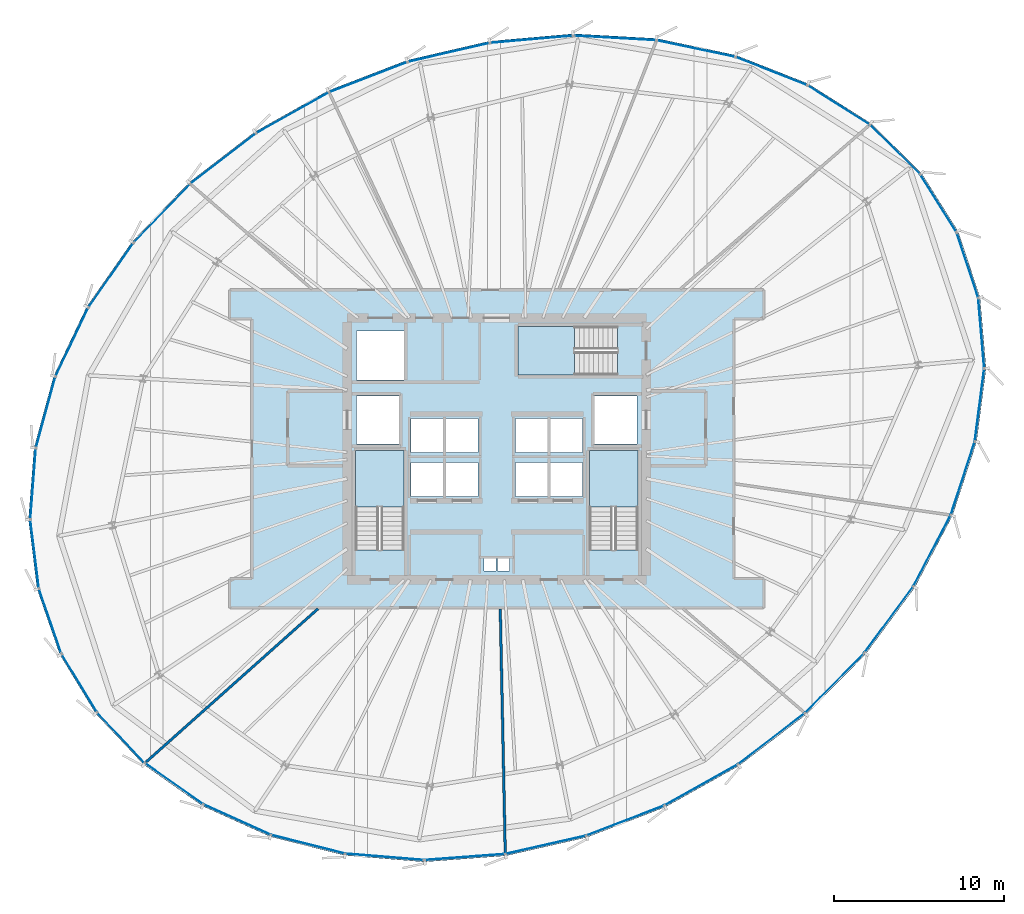
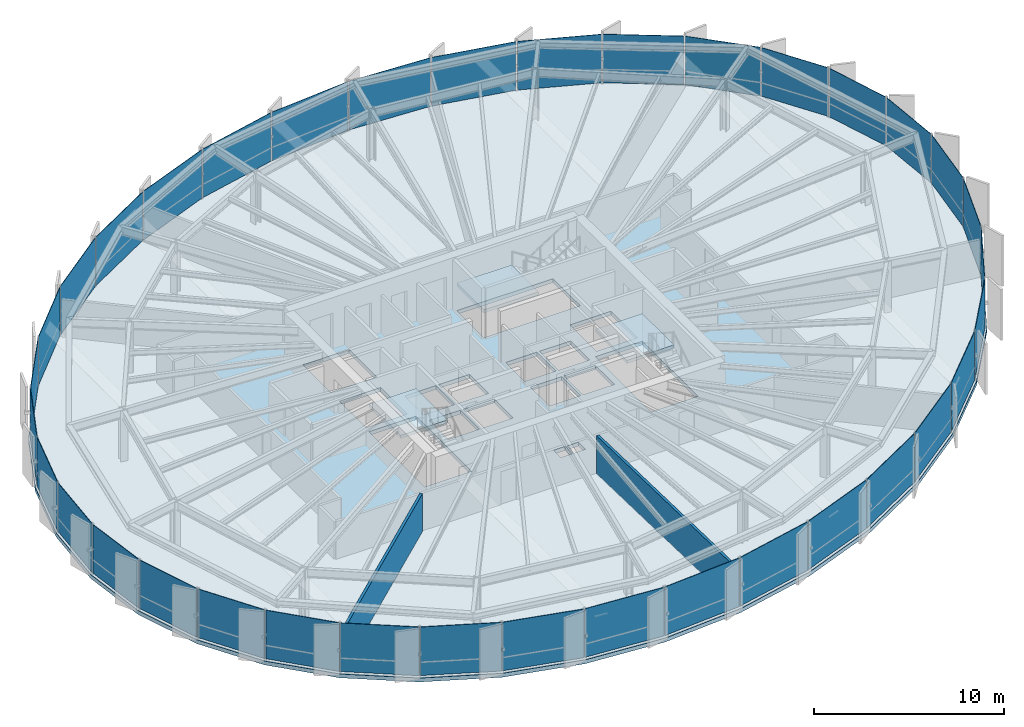
# One storey, part 28 of 35: 36 plates, 4 slabs, 2 walls, 9 elements without a shape of their own.
"""IFC4 building model written with IfcOpenShell, lengths in metres."""

from ifc_helpers import new_model, si_unit, direction, frame, frame_2d, origin, origin_2d, place, context, subcontext, project, spatial, polyline, rectangle, outline, extrude, source, transform, mapped, material, layer, layer_set, type_object, element, aggregate, save


model = new_model("IFC4")

# Units and contexts
model_context = context("Model", 3, precision=1e-05, world=origin(), true_north=direction((0.0, 1.0)))
body_context = subcontext(model_context, "Body", "Model", "MODEL_VIEW")
ifc_project = project(units=[si_unit("LENGTHUNIT", "METRE"), si_unit("AREAUNIT", "SQUARE_METRE"), si_unit("VOLUMEUNIT", "CUBIC_METRE"), si_unit("PLANEANGLEUNIT", "RADIAN"), si_unit("MASSUNIT", "GRAM", prefix="KILO"), si_unit("THERMODYNAMICTEMPERATUREUNIT", "KELVIN")], contexts=[model_context])

# Site, building, storey
site_placement = place(None, origin())
site = spatial("IfcSite", under=ifc_project, at=site_placement, CompositionType="ELEMENT")
building_placement = place(site_placement, origin())
building = spatial("IfcBuilding", under=site, at=building_placement, Name="Kethvar Cultural Tower", CompositionType="ELEMENT")
storey_placement = place(building_placement, frame((0.0, 0.0, 135.89990234375)))
storey = spatial("IfcBuildingStorey", under=building, at=storey_placement, Name="L34", CompositionType="ELEMENT", Elevation=135.89990234375)

# Stair, slab
ifc_material_1 = material(Name="Concrete C40/50", Category="concrete")
stair_type = type_object("IfcStairType", Name="ST-DOGLEG-135", PredefinedType="HALF_TURN_STAIR", material=ifc_material_1)
stair_1_placement = place(storey_placement, origin())
stair_1 = element("IfcStair", 1, at=stair_1_placement, inside=storey, type_object=stair_type, Name="L34 Core Exit Stair 1", PredefinedType="HALF_TURN_STAIR")
ifc_layer_1 = layer(ifc_material_1, 0.199951171875, Name="Concrete C40/50", Category="concrete")
ifc_layer_set_1 = layer_set([ifc_layer_1], Name="Concrete C40/50 (200 mm)")
slab_type_1 = type_object("IfcSlabType", Name="SL-STAIR-LANDING-200", PredefinedType="LANDING", material=ifc_layer_set_1)
slab_1_placement = place(storey_placement, frame((0.0, 0.0, 1.5751953125)))
slab_1 = element("IfcSlab", 2, at=slab_1_placement, type_object=slab_type_1, Name="ST-01 landing 1", PredefinedType="LANDING", context=body_context, shape_type="SweptSolid", body=[
    extrude(outline(polyline([(41.35009765625, 24.3701171875), (41.35009765625, 27.699951171875), (38.489990234375, 27.699951171875), (38.489990234375, 24.3701171875), (41.35009765625, 24.3701171875)])), origin(), (0.0, 0.0, 1.0), 0.199951171875),
])
aggregate(stair_1, [slab_1])

stair_2_placement = place(storey_placement, origin())
stair_2 = element("IfcStair", 3, at=stair_2_placement, inside=storey, type_object=stair_type, Name="L34 Core Exit Stair 2", PredefinedType="HALF_TURN_STAIR")
slab_2_placement = place(storey_placement, frame((0.0, 0.0, 1.5751953125)))
slab_2 = element("IfcSlab", 4, at=slab_2_placement, type_object=slab_type_1, Name="ST-02 landing 1", PredefinedType="LANDING", context=body_context, shape_type="SweptSolid", body=[
    extrude(outline(polyline([(55.110107421875, 24.3701171875), (55.110107421875, 27.699951171875), (52.25, 27.699951171875), (52.25, 24.3701171875), (55.110107421875, 24.3701171875)])), origin(), (0.0, 0.0, 1.0), 0.199951171875),
])
aggregate(stair_2, [slab_2])

stair_3_placement = place(storey_placement, origin())
stair_3 = element("IfcStair", 5, at=stair_3_placement, inside=storey, type_object=stair_type, Name="L34 Core Exit Stair 3", PredefinedType="HALF_TURN_STAIR")
slab_3_placement = place(storey_placement, frame((0.0, 0.0, 1.5751953125)))
slab_3 = element("IfcSlab", 6, at=slab_3_placement, type_object=slab_type_1, Name="ST-03 landing 1", PredefinedType="LANDING", context=body_context, shape_type="SweptSolid", body=[
    extrude(outline(polyline([(51.3798828125, 35.010009765625), (48.050048828125, 35.010009765625), (48.050048828125, 32.14990234375), (51.3798828125, 32.14990234375), (51.3798828125, 35.010009765625)])), origin(), (0.0, 0.0, 1.0), 0.199951171875),
])
aggregate(stair_3, [slab_3])

# Slab
ifc_layer_2 = layer(ifc_material_1, 0.25, Name="Concrete C40/50", Category="concrete")
ifc_layer_set_2 = layer_set([ifc_layer_2], Name="Concrete C40/50 (250 mm)")
slab_type_2 = type_object("IfcSlabType", Name="SL-TOW-250", PredefinedType="FLOOR", material=ifc_layer_set_2)
slab_4_placement = place(storey_placement, frame((0.0, 0.0, -0.25)))
element("IfcSlab", 7, at=slab_4_placement, inside=storey, type_object=slab_type_2, Name="L34 Structural Floor Slab", PredefinedType="FLOOR", context=body_context, shape_type="SweptSolid", body=[
    extrude(outline(polyline([(73.96142578125, 40.581298828125), (71.794189453125, 44.0322265625), (68.809814453125, 46.962890625), (65.11962890625, 49.294189453125), (60.865478515625, 50.96875), (56.20947265625, 51.951416015625), (51.322509765625, 52.225830078125), (46.37255859375, 51.793212890625), (41.514892578125, 50.6689453125), (36.880615234375, 48.87939453125), (32.56640625, 46.4580078125), (28.684326171875, 43.4697265625), (25.352783203125, 40.00537109375), (22.6728515625, 36.170166015625), (20.72607421875, 32.08056640625), (19.571533203125, 27.86083984375), (19.244384765625, 23.639404296875), (19.75439453125, 19.544189453125), (21.086181640625, 15.699951171875), (23.19921875, 12.223388671875), (26.029541015625, 9.22021484375), (29.49072265625, 6.78125), (33.47802734375, 4.981201171875), (37.8701171875, 3.87451171875), (42.533447265625, 3.49462890625), (47.326416015625, 3.853271484375), (52.103515625, 4.939697265625), (56.71923828125, 6.720458984375), (61.052001953125, 9.150390625), (65.014892578125, 12.1767578125), (68.503173828125, 15.715087890625), (71.40673828125, 19.655517578125), (73.617431640625, 23.869384765625), (75.038818359375, 28.214599609375), (75.594970703125, 32.543701171875), (75.239013671875, 36.71142578125), (73.96142578125, 40.581298828125)]), holes=[polyline([(38.489990234375, 21.85009765625), (38.489990234375, 27.699951171875), (41.35009765625, 27.699951171875), (41.35009765625, 21.85009765625), (38.489990234375, 21.85009765625)]), polyline([(52.25, 21.85009765625), (52.25, 27.699951171875), (55.110107421875, 27.699951171875), (55.110107421875, 21.85009765625), (52.25, 21.85009765625)]), polyline([(53.89990234375, 32.14990234375), (48.050048828125, 32.14990234375), (48.050048828125, 35.010009765625), (53.89990234375, 35.010009765625), (53.89990234375, 32.14990234375)]), polyline([(41.75, 27.0), (43.64990234375, 27.0), (43.64990234375, 25.0), (41.75, 25.0), (41.75, 27.0)]), polyline([(43.800048828125, 27.0), (45.699951171875, 27.0), (45.699951171875, 25.0), (43.800048828125, 25.0), (43.800048828125, 27.0)]), polyline([(47.89990234375, 27.0), (49.800048828125, 27.0), (49.800048828125, 25.0), (47.89990234375, 25.0), (47.89990234375, 27.0)]), polyline([(49.949951171875, 27.0), (51.85009765625, 27.0), (51.85009765625, 25.0), (49.949951171875, 25.0), (49.949951171875, 27.0)]), polyline([(41.75, 29.60009765625), (43.64990234375, 29.60009765625), (43.64990234375, 27.60009765625), (41.75, 27.60009765625), (41.75, 29.60009765625)]), polyline([(43.800048828125, 29.60009765625), (45.699951171875, 29.60009765625), (45.699951171875, 27.60009765625), (43.800048828125, 27.60009765625), (43.800048828125, 29.60009765625)]), polyline([(47.89990234375, 29.60009765625), (49.800048828125, 29.60009765625), (49.800048828125, 27.60009765625), (47.89990234375, 27.60009765625), (47.89990234375, 29.60009765625)]), polyline([(49.949951171875, 29.60009765625), (51.85009765625, 29.60009765625), (51.85009765625, 27.60009765625), (49.949951171875, 27.60009765625), (49.949951171875, 29.60009765625)]), polyline([(38.550048828125, 30.89990234375), (41.050048828125, 30.89990234375), (41.050048828125, 28.10009765625), (38.550048828125, 28.10009765625), (38.550048828125, 30.89990234375)]), polyline([(52.550048828125, 30.89990234375), (55.050048828125, 30.89990234375), (55.050048828125, 28.10009765625), (52.550048828125, 28.10009765625), (52.550048828125, 30.89990234375)]), polyline([(38.550048828125, 34.75), (41.35009765625, 34.75), (41.35009765625, 31.85009765625), (38.550048828125, 31.85009765625), (38.550048828125, 34.75)]), polyline([(46.050048828125, 21.35009765625), (46.75, 21.35009765625), (46.75, 20.60009765625), (46.050048828125, 20.60009765625), (46.050048828125, 21.35009765625)]), polyline([(46.85009765625, 21.35009765625), (47.550048828125, 21.35009765625), (47.550048828125, 20.60009765625), (46.85009765625, 20.60009765625), (46.85009765625, 21.35009765625)])]), origin(), (0.0, 0.0, 1.0), 0.25),
])

# Curtain wall, plate
ifc_material_2 = material(Name="Aluminium 6063-T6", Category="aluminium")
ifc_layer_3 = layer(ifc_material_2, 0.179931640625, Name="Aluminium 6063-T6", Category="aluminium")
ifc_layer_set_3 = layer_set([ifc_layer_3], Name="Aluminium 6063-T6 (180 mm)")
curtain_wall_type = type_object("IfcCurtainWallType", Name="CW-SYS-04-Z34", PredefinedType="NOTDEFINED", material=ifc_layer_set_3)
curtain_wall_1_placement = place(storey_placement, origin())
curtain_wall_1 = element("IfcCurtainWall", 8, at=curtain_wall_1_placement, inside=storey, type_object=curtain_wall_type, Name="L34 Curtain Wall Run 02", PredefinedType="NOTDEFINED")
ifc_material_3 = material(Name="Insulated Low-E Solar Glass", Category="glass")
ifc_layer_4 = layer(ifc_material_3, 0.030029296875, Name="Insulated Low-E Solar Glass", Category="glass")
ifc_layer_set_4 = layer_set([ifc_layer_4], Name="Insulated Low-E Solar Glass (30 mm)")
plate_type = type_object("IfcPlateType", Name="CW-SYS-04-Z34-PNL", PredefinedType="CURTAIN_PANEL", material=ifc_layer_set_4)
shared_shape_1 = source(origin(), body_context, "Body", "SweptSolid", [
    extrude(rectangle(XDim=4.881103515625, YDim=0.030029296875, at=origin_2d()), origin(), (0.0, 0.0, 1.0), 3.1201171875),
])
plate_1_placement = place(storey_placement, frame((39.2373046875, 49.671630859375, 0.090087890625), z_axis=(0.0, 0.0, 1.0), x_axis=(-0.932859255911, -0.360241042445, 0.0)))
plate_1 = element("IfcPlate", 9, at=plate_1_placement, type_object=plate_type, Name="CW-L34-R02 Vision Glazing Panel 3", PredefinedType="CURTAIN_PANEL", context=body_context, shape_type="MappedRepresentation", body=[
    mapped(shared_shape_1, transform((0.0, 0.0, 0.0), scale=1.0)),
])

curtain_wall_2_placement = place(storey_placement, origin())
curtain_wall_2 = element("IfcCurtainWall", 10, at=curtain_wall_2_placement, inside=storey, type_object=curtain_wall_type, Name="L34 Curtain Wall Run 05", PredefinedType="NOTDEFINED")
plate_2_placement = place(storey_placement, frame((58.831787109375, 8.031494140625, 0.090087890625), z_axis=(0.0, 0.0, 1.0), x_axis=(0.872197362572, 0.489154127779, 0.0)))
plate_2 = element("IfcPlate", 11, at=plate_2_placement, type_object=plate_type, Name="CW-L34-R05 Vision Glazing Panel 4", PredefinedType="CURTAIN_PANEL", context=body_context, shape_type="MappedRepresentation", body=[
    mapped(shared_shape_1, transform((0.0, 0.0, 0.0), scale=1.0)),
])

curtain_wall_3_placement = place(storey_placement, origin())
curtain_wall_3 = element("IfcCurtainWall", 12, at=curtain_wall_3_placement, inside=storey, type_object=curtain_wall_type, Name="L34 Curtain Wall Run 01", PredefinedType="NOTDEFINED")
shared_shape_2 = source(origin(), body_context, "Body", "SweptSolid", [
    extrude(rectangle(XDim=3.989013671875, YDim=0.030029296875, at=origin_2d()), origin(), (0.0, 0.0, 1.0), 3.1201171875),
])
plate_3_placement = place(storey_placement, frame((72.78466796875, 42.248291015625, 0.090087890625), z_axis=(0.0, 0.0, 1.0), x_axis=(-0.531842058656, 0.846843565628, 0.0)))
plate_3 = element("IfcPlate", 13, at=plate_3_placement, type_object=plate_type, Name="CW-L34-R01 Vision Glazing Panel 1", PredefinedType="CURTAIN_PANEL", context=body_context, shape_type="MappedRepresentation", body=[
    mapped(shared_shape_2, transform((0.0, 0.0, 0.0), scale=1.0)),
])

curtain_wall_4_placement = place(storey_placement, origin())
curtain_wall_4 = element("IfcCurtainWall", 14, at=curtain_wall_4_placement, inside=storey, type_object=curtain_wall_type, Name="L34 Curtain Wall Run 06", PredefinedType="NOTDEFINED")
plate_4_placement = place(storey_placement, frame((74.495849609375, 38.61181640625, 0.090087890625), z_axis=(0.0, 0.0, 1.0), x_axis=(-0.313478721416, 0.949595224935, 0.0)))
plate_4 = element("IfcPlate", 15, at=plate_4_placement, type_object=plate_type, Name="CW-L34-R06 Vision Glazing Panel 6", PredefinedType="CURTAIN_PANEL", context=body_context, shape_type="MappedRepresentation", body=[
    mapped(shared_shape_2, transform((0.0, 0.0, 0.0), scale=1.0)),
])

# Plate
shared_shape_3 = source(origin(), body_context, "Body", "SweptSolid", [
    extrude(rectangle(XDim=4.09619140625, YDim=0.030029296875, at=origin_2d()), origin(), (0.0, 0.0, 1.0), 3.1201171875),
])
plate_5_placement = place(storey_placement, frame((70.224853515625, 45.419189453125, 0.090087890625), z_axis=(0.0, 0.0, 1.0), x_axis=(-0.713495069184, 0.700660250228, 0.0)))
plate_5 = element("IfcPlate", 16, at=plate_5_placement, type_object=plate_type, Name="CW-L34-R01 Vision Glazing Panel 2", PredefinedType="CURTAIN_PANEL", context=body_context, shape_type="MappedRepresentation", body=[
    mapped(shared_shape_3, transform((0.0, 0.0, 0.0), scale=1.0)),
])

shared_shape_4 = source(origin(), body_context, "Body", "SweptSolid", [
    extrude(rectangle(XDim=4.2783203125, YDim=0.030029296875, at=origin_2d()), origin(), (0.0, 0.0, 1.0), 3.1201171875),
])
plate_6_placement = place(storey_placement, frame((66.906005859375, 48.03564453125, 0.090087890625), z_axis=(0.0, 0.0, 1.0), x_axis=(-0.845429663249, 0.534086776188, 0.0)))
plate_6 = element("IfcPlate", 17, at=plate_6_placement, type_object=plate_type, Name="CW-L34-R01 Vision Glazing Panel 3", PredefinedType="CURTAIN_PANEL", context=body_context, shape_type="MappedRepresentation", body=[
    mapped(shared_shape_4, transform((0.0, 0.0, 0.0), scale=1.0)),
])

plate_7_placement = place(storey_placement, frame((75.207763671875, 30.393310546875, 0.090087890625), z_axis=(0.0, 0.0, 1.0), x_axis=(0.127376215155, 0.991854475119, 0.0)))
plate_7 = element("IfcPlate", 18, at=plate_7_placement, type_object=plate_type, Name="CW-L34-R06 Vision Glazing Panel 4", PredefinedType="CURTAIN_PANEL", context=body_context, shape_type="MappedRepresentation", body=[
    mapped(shared_shape_4, transform((0.0, 0.0, 0.0), scale=1.0)),
])

shared_shape_5 = source(origin(), body_context, "Body", "SweptSolid", [
    extrude(rectangle(XDim=4.4853515625, YDim=0.030029296875, at=origin_2d()), origin(), (0.0, 0.0, 1.0), 3.1201171875),
])
plate_8_placement = place(storey_placement, frame((62.952392578125, 50.029052734375, 0.090087890625), z_axis=(0.0, 0.0, 1.0), x_axis=(-0.93050709335, 0.366273871886, 0.0)))
plate_8 = element("IfcPlate", 19, at=plate_8_placement, type_object=plate_type, Name="CW-L34-R01 Vision Glazing Panel 4", PredefinedType="CURTAIN_PANEL", context=body_context, shape_type="MappedRepresentation", body=[
    mapped(shared_shape_5, transform((0.0, 0.0, 0.0), scale=1.0)),
])

plate_9_placement = place(storey_placement, frame((74.2236328125, 26.076171875, 0.090087890625), z_axis=(0.0, 0.0, 1.0), x_axis=(0.310908675161, 0.950439790681, 0.0)))
plate_9 = element("IfcPlate", 20, at=plate_9_placement, type_object=plate_type, Name="CW-L34-R06 Vision Glazing Panel 3", PredefinedType="CURTAIN_PANEL", context=body_context, shape_type="MappedRepresentation", body=[
    mapped(shared_shape_5, transform((0.0, 0.0, 0.0), scale=1.0)),
])

shared_shape_6 = source(origin(), body_context, "Body", "SweptSolid", [
    extrude(rectangle(XDim=4.672119140625, YDim=0.030029296875, at=origin_2d()), origin(), (0.0, 0.0, 1.0), 3.1201171875),
])
plate_10_placement = place(storey_placement, frame((58.514892578125, 51.352294921875, 0.090087890625), z_axis=(0.0, 0.0, 1.0), x_axis=(-0.978447760018, 0.206494505776, 0.0)))
plate_10 = element("IfcPlate", 21, at=plate_10_placement, type_object=plate_type, Name="CW-L34-R01 Vision Glazing Panel 5", PredefinedType="CURTAIN_PANEL", context=body_context, shape_type="MappedRepresentation", body=[
    mapped(shared_shape_6, transform((0.0, 0.0, 0.0), scale=1.0)),
])

plate_11_placement = place(storey_placement, frame((72.414794921875, 21.8134765625, 0.090087890625), z_axis=(0.0, 0.0, 1.0), x_axis=(0.46459477906, 0.885523399618, 0.0)))
plate_11 = element("IfcPlate", 22, at=plate_11_placement, type_object=plate_type, Name="CW-L34-R06 Vision Glazing Panel 2", PredefinedType="CURTAIN_PANEL", context=body_context, shape_type="MappedRepresentation", body=[
    mapped(shared_shape_6, transform((0.0, 0.0, 0.0), scale=1.0)),
])

shared_shape_7 = source(origin(), body_context, "Body", "SweptSolid", [
    extrude(rectangle(XDim=4.808349609375, YDim=0.030029296875, at=origin_2d()), origin(), (0.0, 0.0, 1.0), 3.1201171875),
])
plate_12_placement = place(storey_placement, frame((53.760009765625, 51.978759765625, 0.090087890625), z_axis=(0.0, 0.0, 1.0), x_axis=(-0.99842611593, 0.056082894258, 0.0)))
plate_12 = element("IfcPlate", 23, at=plate_12_placement, type_object=plate_type, Name="CW-L34-R01 Vision Glazing Panel 6", PredefinedType="CURTAIN_PANEL", context=body_context, shape_type="MappedRepresentation", body=[
    mapped(shared_shape_7, transform((0.0, 0.0, 0.0), scale=1.0)),
])

aggregate(curtain_wall_3, [plate_3, plate_5, plate_6, plate_8, plate_10, plate_12])

plate_13_placement = place(storey_placement, frame((69.866455078125, 17.75048828125, 0.090087890625), z_axis=(0.0, 0.0, 1.0), x_axis=(0.593194094718, 0.805059479785, 0.0)))
plate_13 = element("IfcPlate", 24, at=plate_13_placement, type_object=plate_type, Name="CW-L34-R06 Vision Glazing Panel 1", PredefinedType="CURTAIN_PANEL", context=body_context, shape_type="MappedRepresentation", body=[
    mapped(shared_shape_7, transform((0.0, 0.0, 0.0), scale=1.0)),
])

shared_shape_8 = source(origin(), body_context, "Body", "SweptSolid", [
    extrude(rectangle(XDim=4.88232421875, YDim=0.030029296875, at=origin_2d()), origin(), (0.0, 0.0, 1.0), 3.1201171875),
])
plate_14_placement = place(storey_placement, frame((48.857177734375, 51.89990234375, 0.090087890625), z_axis=(0.0, 0.0, 1.0), x_axis=(-0.996203819558, -0.087051421005, 0.0)))
plate_14 = element("IfcPlate", 25, at=plate_14_placement, type_object=plate_type, Name="CW-L34-R02 Vision Glazing Panel 1", PredefinedType="CURTAIN_PANEL", context=body_context, shape_type="MappedRepresentation", body=[
    mapped(shared_shape_8, transform((0.0, 0.0, 0.0), scale=1.0)),
])

plate_15_placement = place(storey_placement, frame((66.6806640625, 14.023193359375, 0.090087890625), z_axis=(0.0, 0.0, 1.0), x_axis=(0.702078485952, 0.712099571383, 0.0)))
plate_15 = element("IfcPlate", 26, at=plate_15_placement, type_object=plate_type, Name="CW-L34-R05 Vision Glazing Panel 6", PredefinedType="CURTAIN_PANEL", context=body_context, shape_type="MappedRepresentation", body=[
    mapped(shared_shape_8, transform((0.0, 0.0, 0.0), scale=1.0)),
])

shared_shape_9 = source(origin(), body_context, "Body", "SweptSolid", [
    extrude(rectangle(XDim=4.89990234375, YDim=0.030029296875, at=origin_2d()), origin(), (0.0, 0.0, 1.0), 3.1201171875),
])
plate_16_placement = place(storey_placement, frame((43.968505859375, 51.1240234375, 0.090087890625), z_axis=(0.0, 0.0, 1.0), x_axis=(-0.974248211941, -0.225478206331, 0.0)))
plate_16 = element("IfcPlate", 27, at=plate_16_placement, type_object=plate_type, Name="CW-L34-R02 Vision Glazing Panel 2", PredefinedType="CURTAIN_PANEL", context=body_context, shape_type="MappedRepresentation", body=[
    mapped(shared_shape_9, transform((0.0, 0.0, 0.0), scale=1.0)),
])

plate_17_placement = place(storey_placement, frame((62.966552734375, 10.7509765625, 0.090087890625), z_axis=(0.0, 0.0, 1.0), x_axis=(0.79475371928, 0.606932060193, 0.0)))
plate_17 = element("IfcPlate", 28, at=plate_17_placement, type_object=plate_type, Name="CW-L34-R05 Vision Glazing Panel 5", PredefinedType="CURTAIN_PANEL", context=body_context, shape_type="MappedRepresentation", body=[
    mapped(shared_shape_9, transform((0.0, 0.0, 0.0), scale=1.0)),
])

shared_shape_10 = source(origin(), body_context, "Body", "SweptSolid", [
    extrude(rectangle(XDim=4.861083984375, YDim=0.030029296875, at=origin_2d()), origin(), (0.0, 0.0, 1.0), 3.1201171875),
])
plate_18_placement = place(storey_placement, frame((34.77734375, 47.572998046875, 0.090087890625), z_axis=(0.0, 0.0, 1.0), x_axis=(-0.872043647231, -0.489428112518, 0.0)))
plate_18 = element("IfcPlate", 29, at=plate_18_placement, type_object=plate_type, Name="CW-L34-R02 Vision Glazing Panel 4", PredefinedType="CURTAIN_PANEL", context=body_context, shape_type="MappedRepresentation", body=[
    mapped(shared_shape_10, transform((0.0, 0.0, 0.0), scale=1.0)),
])

plate_19_placement = place(storey_placement, frame((54.371826171875, 5.9326171875, 0.090087890625), z_axis=(0.0, 0.0, 1.0), x_axis=(0.932966100516, 0.359964241679, 0.0)))
plate_19 = element("IfcPlate", 30, at=plate_19_placement, type_object=plate_type, Name="CW-L34-R05 Vision Glazing Panel 3", PredefinedType="CURTAIN_PANEL", context=body_context, shape_type="MappedRepresentation", body=[
    mapped(shared_shape_10, transform((0.0, 0.0, 0.0), scale=1.0)),
])

shared_shape_11 = source(origin(), body_context, "Body", "SweptSolid", [
    extrude(rectangle(XDim=4.8125, YDim=0.030029296875, at=origin_2d()), origin(), (0.0, 0.0, 1.0), 3.1201171875),
])
plate_20_placement = place(storey_placement, frame((30.6923828125, 44.876708984375, 0.090087890625), z_axis=(0.0, 0.0, 1.0), x_axis=(-0.792417414482, -0.609979213766, 0.0)))
plate_20 = element("IfcPlate", 31, at=plate_20_placement, type_object=plate_type, Name="CW-L34-R02 Vision Glazing Panel 5", PredefinedType="CURTAIN_PANEL", context=body_context, shape_type="MappedRepresentation", body=[
    mapped(shared_shape_11, transform((0.0, 0.0, 0.0), scale=1.0)),
])

plate_21_placement = place(storey_placement, frame((49.6904296875, 4.503662109375, 0.090087890625), z_axis=(0.0, 0.0, 1.0), x_axis=(0.975106802076, 0.221735708772, 0.0)))
plate_21 = element("IfcPlate", 32, at=plate_21_placement, type_object=plate_type, Name="CW-L34-R05 Vision Glazing Panel 2", PredefinedType="CURTAIN_PANEL", context=body_context, shape_type="MappedRepresentation", body=[
    mapped(shared_shape_11, transform((0.0, 0.0, 0.0), scale=1.0)),
])

shared_shape_12 = source(origin(), body_context, "Body", "SweptSolid", [
    extrude(rectangle(XDim=4.719970703125, YDim=0.030029296875, at=origin_2d()), origin(), (0.0, 0.0, 1.0), 3.1201171875),
])
plate_22_placement = place(storey_placement, frame((27.097900390625, 41.661376953125, 0.090087890625), z_axis=(0.0, 0.0, 1.0), x_axis=(-0.69315026625, -0.720793110676, 0.0)))
plate_22 = element("IfcPlate", 33, at=plate_22_placement, type_object=plate_type, Name="CW-L34-R02 Vision Glazing Panel 6", PredefinedType="CURTAIN_PANEL", context=body_context, shape_type="MappedRepresentation", body=[
    mapped(shared_shape_12, transform((0.0, 0.0, 0.0), scale=1.0)),
])

aggregate(curtain_wall_1, [plate_14, plate_16, plate_1, plate_18, plate_20, plate_22])

plate_23_placement = place(storey_placement, frame((44.921630859375, 3.78369140625, 0.090087890625), z_axis=(0.0, 0.0, 1.0), x_axis=(0.997211245286, 0.074630638989, 0.0)))
plate_23 = element("IfcPlate", 34, at=plate_23_placement, type_object=plate_type, Name="CW-L34-R05 Vision Glazing Panel 1", PredefinedType="CURTAIN_PANEL", context=body_context, shape_type="MappedRepresentation", body=[
    mapped(shared_shape_12, transform((0.0, 0.0, 0.0), scale=1.0)),
])

aggregate(curtain_wall_2, [plate_23, plate_21, plate_19, plate_2, plate_17, plate_15])

# Curtain wall, plate
curtain_wall_5_placement = place(storey_placement, origin())
curtain_wall_5 = element("IfcCurtainWall", 35, at=curtain_wall_5_placement, inside=storey, type_object=curtain_wall_type, Name="L34 Curtain Wall Run 03", PredefinedType="NOTDEFINED")
shared_shape_13 = source(origin(), body_context, "Body", "SweptSolid", [
    extrude(rectangle(XDim=4.59228515625, YDim=0.030029296875, at=origin_2d()), origin(), (0.0, 0.0, 1.0), 3.1201171875),
])
plate_24_placement = place(storey_placement, frame((24.10302734375, 38.024658203125, 0.090087890625), z_axis=(0.0, 0.0, 1.0), x_axis=(-0.572775536102, -0.81971225759, 0.0)))
plate_24 = element("IfcPlate", 36, at=plate_24_placement, type_object=plate_type, Name="CW-L34-R03 Vision Glazing Panel 1", PredefinedType="CURTAIN_PANEL", context=body_context, shape_type="MappedRepresentation", body=[
    mapped(shared_shape_13, transform((0.0, 0.0, 0.0), scale=1.0)),
])

curtain_wall_6_placement = place(storey_placement, origin())
curtain_wall_6 = element("IfcCurtainWall", 37, at=curtain_wall_6_placement, inside=storey, type_object=curtain_wall_type, Name="L34 Curtain Wall Run 04", PredefinedType="NOTDEFINED")
plate_25_placement = place(storey_placement, frame((40.210693359375, 3.794189453125, 0.090087890625), z_axis=(0.0, 0.0, 1.0), x_axis=(0.996700017191, -0.081173121975, 0.0)))
plate_25 = element("IfcPlate", 38, at=plate_25_placement, type_object=plate_type, Name="CW-L34-R04 Vision Glazing Panel 6", PredefinedType="CURTAIN_PANEL", context=body_context, shape_type="MappedRepresentation", body=[
    mapped(shared_shape_13, transform((0.0, 0.0, 0.0), scale=1.0)),
])

# Plate
shared_shape_14 = source(origin(), body_context, "Body", "SweptSolid", [
    extrude(rectangle(XDim=4.443115234375, YDim=0.030029296875, at=origin_2d()), origin(), (0.0, 0.0, 1.0), 3.1201171875),
])
plate_26_placement = place(storey_placement, frame((21.798828125, 34.077880859375, 0.090087890625), z_axis=(0.0, 0.0, 1.0), x_axis=(-0.429817834192, -0.902915626961, 0.0)))
plate_26 = element("IfcPlate", 39, at=plate_26_placement, type_object=plate_type, Name="CW-L34-R03 Vision Glazing Panel 2", PredefinedType="CURTAIN_PANEL", context=body_context, shape_type="MappedRepresentation", body=[
    mapped(shared_shape_14, transform((0.0, 0.0, 0.0), scale=1.0)),
])

shared_shape_15 = source(origin(), body_context, "Body", "SweptSolid", [
    extrude(rectangle(XDim=4.288330078125, YDim=0.030029296875, at=origin_2d()), origin(), (0.0, 0.0, 1.0), 3.1201171875),
])
plate_27_placement = place(storey_placement, frame((20.2548828125, 29.941650390625, 0.090087890625), z_axis=(0.0, 0.0, 1.0), x_axis=(-0.26390671921, -0.964548206963, 0.0)))
plate_27 = element("IfcPlate", 40, at=plate_27_placement, type_object=plate_type, Name="CW-L34-R03 Vision Glazing Panel 3", PredefinedType="CURTAIN_PANEL", context=body_context, shape_type="MappedRepresentation", body=[
    mapped(shared_shape_15, transform((0.0, 0.0, 0.0), scale=1.0)),
])

shared_shape_16 = source(origin(), body_context, "Body", "SweptSolid", [
    extrude(rectangle(XDim=4.147705078125, YDim=0.030029296875, at=origin_2d()), origin(), (0.0, 0.0, 1.0), 3.1201171875),
])
plate_28_placement = place(storey_placement, frame((19.517578125, 25.74169921875, 0.090087890625), z_axis=(0.0, 0.0, 1.0), x_axis=(-0.07729327653, -0.997008399866, 0.0)))
plate_28 = element("IfcPlate", 41, at=plate_28_placement, type_object=plate_type, Name="CW-L34-R03 Vision Glazing Panel 4", PredefinedType="CURTAIN_PANEL", context=body_context, shape_type="MappedRepresentation", body=[
    mapped(shared_shape_16, transform((0.0, 0.0, 0.0), scale=1.0)),
])

plate_29_placement = place(storey_placement, frame((27.823486328125, 8.090576171875, 0.090087890625), z_axis=(0.0, 0.0, 1.0), x_axis=(0.817466711412, -0.575975846485, 0.0)))
plate_29 = element("IfcPlate", 42, at=plate_29_placement, type_object=plate_type, Name="CW-L34-R04 Vision Glazing Panel 3", PredefinedType="CURTAIN_PANEL", context=body_context, shape_type="MappedRepresentation", body=[
    mapped(shared_shape_16, transform((0.0, 0.0, 0.0), scale=1.0)),
])

shared_shape_17 = source(origin(), body_context, "Body", "SweptSolid", [
    extrude(rectangle(XDim=4.040283203125, YDim=0.030029296875, at=origin_2d()), origin(), (0.0, 0.0, 1.0), 3.1201171875),
])
plate_30_placement = place(storey_placement, frame((19.6083984375, 21.60546875, 0.090087890625), z_axis=(0.0, 0.0, 1.0), x_axis=(0.12360147674, -0.992331937885, 0.0)))
plate_30 = element("IfcPlate", 43, at=plate_30_placement, type_object=plate_type, Name="CW-L34-R03 Vision Glazing Panel 5", PredefinedType="CURTAIN_PANEL", context=body_context, shape_type="MappedRepresentation", body=[
    mapped(shared_shape_17, transform((0.0, 0.0, 0.0), scale=1.0)),
])

plate_31_placement = place(storey_placement, frame((24.6943359375, 10.797119140625, 0.090087890625), z_axis=(0.0, 0.0, 1.0), x_axis=(0.685818352927, -0.727772757657, 0.0)))
plate_31 = element("IfcPlate", 44, at=plate_31_placement, type_object=plate_type, Name="CW-L34-R04 Vision Glazing Panel 2", PredefinedType="CURTAIN_PANEL", context=body_context, shape_type="MappedRepresentation", body=[
    mapped(shared_shape_17, transform((0.0, 0.0, 0.0), scale=1.0)),
])

shared_shape_18 = source(origin(), body_context, "Body", "SweptSolid", [
    extrude(rectangle(XDim=3.98193359375, YDim=0.030029296875, at=origin_2d()), origin(), (0.0, 0.0, 1.0), 3.1201171875),
])
plate_32_placement = place(storey_placement, frame((20.524169921875, 17.658203125, 0.090087890625), z_axis=(0.0, 0.0, 1.0), x_axis=(0.327349835547, -0.944903214709, 0.0)))
plate_32 = element("IfcPlate", 45, at=plate_32_placement, type_object=plate_type, Name="CW-L34-R03 Vision Glazing Panel 6", PredefinedType="CURTAIN_PANEL", context=body_context, shape_type="MappedRepresentation", body=[
    mapped(shared_shape_18, transform((0.0, 0.0, 0.0), scale=1.0)),
])

aggregate(curtain_wall_5, [plate_24, plate_26, plate_27, plate_28, plate_30, plate_32])

shared_shape_19 = source(origin(), body_context, "Body", "SweptSolid", [
    extrude(rectangle(XDim=3.982177734375, YDim=0.030029296875, at=origin_2d()), origin(), (0.0, 0.0, 1.0), 3.1201171875),
])
plate_33_placement = place(storey_placement, frame((22.23681640625, 14.018798828125, 0.090087890625), z_axis=(0.0, 0.0, 1.0), x_axis=(0.519399801856, -0.854531360356, 0.0)))
plate_33 = element("IfcPlate", 46, at=plate_33_placement, type_object=plate_type, Name="CW-L34-R04 Vision Glazing Panel 1", PredefinedType="CURTAIN_PANEL", context=body_context, shape_type="MappedRepresentation", body=[
    mapped(shared_shape_19, transform((0.0, 0.0, 0.0), scale=1.0)),
])

shared_shape_20 = source(origin(), body_context, "Body", "SweptSolid", [
    extrude(rectangle(XDim=4.28857421875, YDim=0.030029296875, at=origin_2d()), origin(), (0.0, 0.0, 1.0), 3.1201171875),
])
plate_34_placement = place(storey_placement, frame((31.52978515625, 5.9814453125, 0.090087890625), z_axis=(0.0, 0.0, 1.0), x_axis=(0.911424822228, -0.411466637077, 0.0)))
plate_34 = element("IfcPlate", 47, at=plate_34_placement, type_object=plate_type, Name="CW-L34-R04 Vision Glazing Panel 4", PredefinedType="CURTAIN_PANEL", context=body_context, shape_type="MappedRepresentation", body=[
    mapped(shared_shape_20, transform((0.0, 0.0, 0.0), scale=1.0)),
])

shared_shape_21 = source(origin(), body_context, "Body", "SweptSolid", [
    extrude(rectangle(XDim=4.44287109375, YDim=0.030029296875, at=origin_2d()), origin(), (0.0, 0.0, 1.0), 3.1201171875),
])
plate_35_placement = place(storey_placement, frame((35.700927734375, 4.534423828125, 0.090087890625), z_axis=(0.0, 0.0, 1.0), x_axis=(0.969684646419, -0.244359748118, 0.0)))
plate_35 = element("IfcPlate", 48, at=plate_35_placement, type_object=plate_type, Name="CW-L34-R04 Vision Glazing Panel 5", PredefinedType="CURTAIN_PANEL", context=body_context, shape_type="MappedRepresentation", body=[
    mapped(shared_shape_21, transform((0.0, 0.0, 0.0), scale=1.0)),
])

aggregate(curtain_wall_6, [plate_33, plate_31, plate_29, plate_34, plate_35, plate_25])

shared_shape_22 = source(origin(), body_context, "Body", "SweptSolid", [
    extrude(rectangle(XDim=4.096435546875, YDim=0.030029296875, at=origin_2d()), origin(), (0.0, 0.0, 1.0), 3.1201171875),
])
plate_36_placement = place(storey_placement, frame((75.307373046875, 34.618408203125, 0.090087890625), z_axis=(0.0, 0.0, 1.0), x_axis=(-0.085086517835, 0.996373566732, 0.0)))
plate_36 = element("IfcPlate", 49, at=plate_36_placement, type_object=plate_type, Name="CW-L34-R06 Vision Glazing Panel 5", PredefinedType="CURTAIN_PANEL", context=body_context, shape_type="MappedRepresentation", body=[
    mapped(shared_shape_22, transform((0.0, 0.0, 0.0), scale=1.0)),
])

aggregate(curtain_wall_4, [plate_13, plate_11, plate_9, plate_7, plate_36, plate_4])

# Walls
ifc_material_4 = material(Name="Gypsum Acoustic Partition")
ifc_layer_5 = layer(ifc_material_4, 0.14990234375, Name="Gypsum Acoustic Partition")
ifc_layer_set_5 = layer_set([ifc_layer_5], Name="Gypsum Acoustic Partition (150 mm)")
wall_type = type_object("IfcWallType", Name="WL-PART-150", PredefinedType="PARTITIONING", material=ifc_layer_set_5)
wall_1_placement = place(storey_placement, frame((36.287841796875, 18.396728515625, 0.0), z_axis=(0.0, 0.0, 1.0), x_axis=(-0.746524355817, -0.66535808868, 0.0)))
element("IfcWall", 50, at=wall_1_placement, inside=storey, type_object=wall_type, Name="L34 Radial Partition Wall 01", PredefinedType="PARTITIONING", context=body_context, shape_type="SweptSolid", body=[
    extrude(rectangle(XDim=13.556640625, YDim=0.14990234375, at=frame_2d((6.7783203125, 0.0))), origin(), (0.0, 0.0, 1.0), 2.445068359375),
])
wall_2_placement = place(storey_placement, frame((47.007080078125, 18.3701171875, 0.0), z_axis=(0.0, 0.0, 1.0), x_axis=(0.020469333541, -0.999790481243, 0.0)))
element("IfcWall", 51, at=wall_2_placement, inside=storey, type_object=wall_type, Name="L34 Radial Partition Wall 02", PredefinedType="PARTITIONING", context=body_context, shape_type="SweptSolid", body=[
    extrude(rectangle(XDim=14.3125, YDim=0.14990234375, at=frame_2d((7.15625, 0.0))), origin(), (0.0, 0.0, 1.0), 2.445068359375),
])

save(model, "model.ifc")
